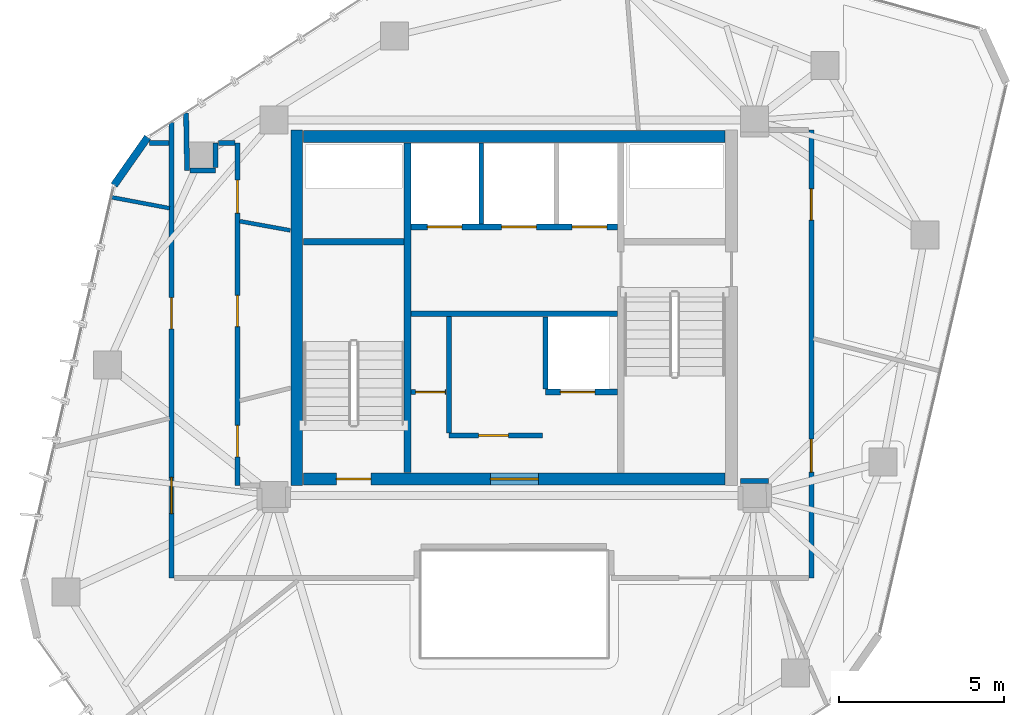
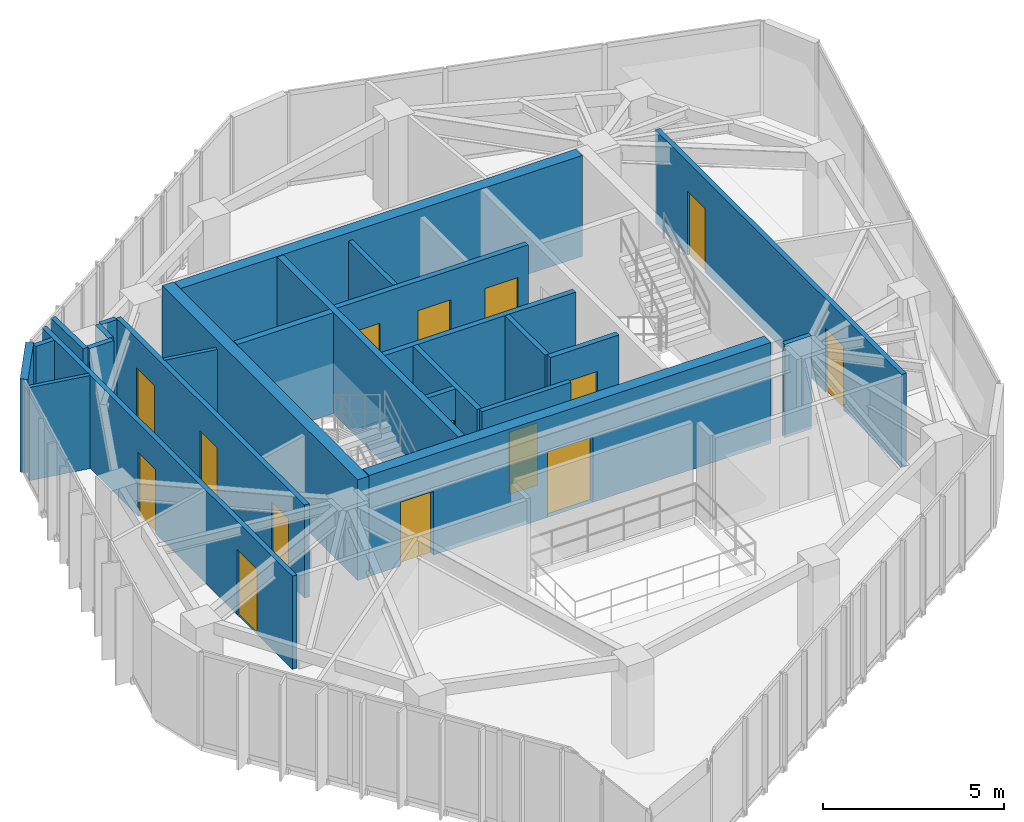
# One storey, part 17 of 20: 25 walls, 15 doors, 15 openings.
"""IFC4 building model written with IfcOpenShell, lengths in metres."""

from ifc_helpers import new_model, si_unit, direction, frame, frame_2d, origin, place, context, subcontext, project, spatial, rectangle, extrude, source, transform, mapped, material, layer, layer_set, type_object, type_shapes, element, fill, save


model = new_model("IFC4")

# Units and contexts
model_context = context("Model", 3, precision=1e-05, world=origin(), true_north=direction((0.0, 1.0)))
body_context = subcontext(model_context, "Body", "Model", "MODEL_VIEW")
ifc_project = project(units=[si_unit("LENGTHUNIT", "METRE"), si_unit("AREAUNIT", "SQUARE_METRE"), si_unit("VOLUMEUNIT", "CUBIC_METRE"), si_unit("PLANEANGLEUNIT", "RADIAN"), si_unit("MASSUNIT", "GRAM", prefix="KILO")], contexts=[model_context])

# Site, building, storey
site_placement = place(None, origin())
site = spatial("IfcSite", under=ifc_project, at=site_placement, CompositionType="ELEMENT")
building_placement = place(site_placement, origin())
building = spatial("IfcBuilding", under=site, at=building_placement, Name="Talar Marvaseh", CompositionType="ELEMENT")
storey_placement = place(building_placement, frame((0.0, 0.0, 247.60009765625)))
storey = spatial("IfcBuildingStorey", under=building, at=storey_placement, Name="L65", CompositionType="ELEMENT", Elevation=247.60009765625)

# Walls
ifc_material_1 = material(Name="Precast concrete C45/55", Category="concrete")
ifc_layer_1 = layer(ifc_material_1, 0.22509765625)
ifc_layer_set_1 = layer_set([ifc_layer_1], Name="Precast concrete C45/55")
wall_type_1 = type_object("IfcWallType", Name="Chamfered Hexagonal Corner Pier Wall Z4 225", PredefinedType="SOLIDWALL", material=ifc_layer_set_1)
wall_1_placement = place(storey_placement, frame((13.851806640625, 34.91943359375, 0.0), z_axis=(0.0, 0.0, 1.0), x_axis=(0.573664769925, 0.819090185356, 0.0)))
element("IfcWall", 1, at=wall_1_placement, inside=storey, type_object=wall_type_1, Name="L65 Chamfered Corner Limestone Pier 3", PredefinedType="SOLIDWALL", context=body_context, shape_type="SweptSolid", body=[
    extrude(rectangle(XDim=1.780517578125, YDim=0.22509765625, at=frame_2d((0.89013671875, 0.0))), origin(), (0.0, 0.0, 1.0), 3.139892578125),
])
ifc_material_2 = material(Name="Gypsum Board Partition Assembly")
ifc_layer_2 = layer(ifc_material_2, 0.155029296875)
ifc_layer_set_2 = layer_set([ifc_layer_2], Name="Gypsum Board Partition Assembly")
wall_type_2 = type_object("IfcWallType", Name="Corridor Fire-Rated Acoustic Partition 155", PredefinedType="PARTITIONING", material=ifc_layer_set_2)
wall_2_placement = place(storey_placement, frame((24.02001953125, 27.39990234375, 0.0), z_axis=(0.0, 0.0, 1.0), x_axis=(0.0, 1.0, 0.0)))
element("IfcWall", 2, at=wall_2_placement, inside=storey, type_object=wall_type_2, Name="L65 Core BOH Partition", PredefinedType="PARTITIONING", context=body_context, shape_type="SweptSolid", body=[
    extrude(rectangle(XDim=3.5400390625, YDim=0.155029296875, at=frame_2d((1.77001953125, 0.0))), origin(), (0.0, 0.0, 1.0), 3.139892578125),
])

# Wall, opening, door
wall_3_placement = place(storey_placement, frame((24.02001953125, 27.320068359375, 0.0), z_axis=(0.0, 0.0, 1.0), x_axis=(1.0, 0.0, 0.0)))
wall_3 = element("IfcWall", 3, at=wall_3_placement, inside=storey, type_object=wall_type_2, Name="L65 Core BOH Partition", PredefinedType="PARTITIONING", context=body_context, shape_type="SweptSolid", body=[
    extrude(rectangle(XDim=2.840087890625, YDim=0.155029296875, at=frame_2d((1.419921875, 0.0))), origin(), (0.0, 0.0, 1.0), 3.139892578125),
])
opening_1_placement = place(wall_3_placement, frame((0.89990234375, 0.0, 0.0)))
opening_1 = element("IfcOpeningElement", 4, at=opening_1_placement, cuts=wall_3, Name="Opening DR-BOH090", PredefinedType="OPENING", context=body_context, shape_type="SweptSolid", body=[
    extrude(rectangle(XDim=0.89990234375, YDim=2.10009765625, at=frame_2d((0.449951171875, 1.050048828125))), frame((0.0, 0.08740234375, 0.0), z_axis=(0.0, -1.0, 0.0), x_axis=(1.0, 0.0, 0.0)), (0.0, 0.0, 1.0), 0.175048828125),
])
ifc_material_3 = material(Name="Fire-Rated Steel Door Leaf", Category="steel")
door_type_1 = type_object("IfcDoorType", Name="Core Back-of-House Service Door 900x2100", OperationType="NOTDEFINED", PredefinedType="DOOR", material=ifc_material_3)
shared_shape_1 = source(origin(), body_context, "Body", "SweptSolid", [
    extrude(rectangle(XDim=0.89990234375, YDim=2.10009765625, at=frame_2d((0.449951171875, 1.050048828125))), frame((0.0, 0.02490234375, 0.0), z_axis=(0.0, -1.0, 0.0), x_axis=(1.0, 0.0, 0.0)), (0.0, 0.0, 1.0), 0.050048828125),
])
type_shapes(door_type_1, [shared_shape_1])
door_1_placement = place(opening_1_placement, origin())
door_1 = element("IfcDoor", 5, at=door_1_placement, inside=storey, type_object=door_type_1, Name="L65 Store Sky Curatorial Vault Door", OperationType="SINGLE_SWING_LEFT", OverallHeight=2.10009765625, OverallWidth=0.89990234375, PredefinedType="DOOR", context=body_context, shape_type="MappedRepresentation", body=[
    mapped(shared_shape_1, transform((0.0, 0.0, 0.0), x_axis=(1.0, 0.0, 0.0), y_axis=(0.0, 1.0, 0.0), z_axis=(0.0, 0.0, 1.0), scale=1.0)),
])
fill(opening_1, door_1)

wall_4_placement = place(storey_placement, frame((22.865966796875, 28.639892578125, 0.0), z_axis=(0.0, 0.0, 1.0), x_axis=(1.0, 0.0, 0.0)))
wall_4 = element("IfcWall", 6, at=wall_4_placement, inside=storey, type_object=wall_type_2, Name="L65 Core BOH Partition", PredefinedType="PARTITIONING", context=body_context, shape_type="SweptSolid", body=[
    extrude(rectangle(XDim=1.070556640625, YDim=0.155029296875, at=frame_2d((0.53515625, 0.0))), origin(), (0.0, 0.0, 1.0), 3.139892578125),
])
opening_2_placement = place(wall_4_placement, frame((0.139892578125, 0.0, 0.0)))
opening_2 = element("IfcOpeningElement", 7, at=opening_2_placement, cuts=wall_4, Name="Opening DR-BOH090", PredefinedType="OPENING", context=body_context, shape_type="SweptSolid", body=[
    extrude(rectangle(XDim=0.89990234375, YDim=2.10009765625, at=frame_2d((0.449951171875, 1.050048828125))), frame((0.0, 0.08740234375, 0.0), z_axis=(0.0, -1.0, 0.0), x_axis=(1.0, 0.0, 0.0)), (0.0, 0.0, 1.0), 0.175048828125),
])
door_2_placement = place(opening_2_placement, origin())
door_2 = element("IfcDoor", 8, at=door_2_placement, inside=storey, type_object=door_type_1, Name="L65 Cleaner Core West Closet Door", OperationType="SINGLE_SWING_RIGHT", OverallHeight=2.10009765625, OverallWidth=0.89990234375, PredefinedType="DOOR", context=body_context, shape_type="MappedRepresentation", body=[
    mapped(shared_shape_1, transform((0.0, 0.0, 0.0), x_axis=(1.0, 0.0, 0.0), y_axis=(0.0, 1.0, 0.0), z_axis=(0.0, 0.0, 1.0), scale=1.0)),
])
fill(opening_2, door_2)

# Wall, openings, doors
wall_5_placement = place(storey_placement, frame((17.60009765625, 36.199951171875, 0.0), z_axis=(0.0, 0.0, 1.0), x_axis=(0.0, -1.0, 0.0)))
wall_5 = element("IfcWall", 9, at=wall_5_placement, inside=storey, type_object=wall_type_2, Name="L65 Interior Partition Wall", PredefinedType="PARTITIONING", context=body_context, shape_type="SweptSolid", body=[
    extrude(rectangle(XDim=10.39990234375, YDim=0.155029296875, at=frame_2d((5.199951171875, 0.0))), origin(), (0.0, 0.0, 1.0), 3.139892578125),
])
opening_3_placement = place(wall_5_placement, frame((8.573486328125, 0.0, 0.0)))
opening_3 = element("IfcOpeningElement", 10, at=opening_3_placement, cuts=wall_5, Name="Opening DR-WC095", PredefinedType="OPENING", context=body_context, shape_type="SweptSolid", body=[
    extrude(rectangle(XDim=0.949951171875, YDim=2.14990234375, at=frame_2d((0.47509765625, 1.074951171875))), frame((0.0, 0.08740234375, 0.0), z_axis=(0.0, -1.0, 0.0), x_axis=(1.0, 0.0, 0.0)), (0.0, 0.0, 1.0), 0.175048828125),
])
opening_4_placement = place(wall_5_placement, frame((1.125, 0.0, 0.0)))
opening_4 = element("IfcOpeningElement", 11, at=opening_4_placement, cuts=wall_5, Name="Opening DR-RM100", PredefinedType="OPENING", context=body_context, shape_type="SweptSolid", body=[
    extrude(rectangle(XDim=1.0, YDim=2.14990234375, at=frame_2d((0.5, 1.074951171875))), frame((0.0, 0.08740234375, 0.0), z_axis=(0.0, -1.0, 0.0), x_axis=(1.0, 0.0, 0.0)), (0.0, 0.0, 1.0), 0.175048828125),
])
opening_5_placement = place(wall_5_placement, frame((4.62451171875, 0.0, 0.0)))
opening_5 = element("IfcOpeningElement", 12, at=opening_5_placement, cuts=wall_5, Name="Opening DR-WC095", PredefinedType="OPENING", context=body_context, shape_type="SweptSolid", body=[
    extrude(rectangle(XDim=0.949951171875, YDim=2.14990234375, at=frame_2d((0.47509765625, 1.074951171875))), frame((0.0, 0.08740234375, 0.0), z_axis=(0.0, -1.0, 0.0), x_axis=(1.0, 0.0, 0.0)), (0.0, 0.0, 1.0), 0.175048828125),
])
ifc_material_4 = material(Name="Acoustic Engineered Oak Timber", Category="wood")
door_type_2 = type_object("IfcDoorType", Name="Washroom and Service Room Door 950x2150", OperationType="NOTDEFINED", PredefinedType="DOOR", material=ifc_material_4)
shared_shape_2 = source(origin(), body_context, "Body", "SweptSolid", [
    extrude(rectangle(XDim=0.949951171875, YDim=2.14990234375, at=frame_2d((0.47509765625, 1.074951171875))), frame((0.0, 0.02490234375, 0.0), z_axis=(0.0, -1.0, 0.0), x_axis=(1.0, 0.0, 0.0)), (0.0, 0.0, 1.0), 0.050048828125),
])
type_shapes(door_type_2, [shared_shape_2])
door_3_placement = place(opening_3_placement, origin())
door_3 = element("IfcDoor", 13, at=door_3_placement, inside=storey, type_object=door_type_2, Name="L65 WC Public Washrooms Door", OperationType="SINGLE_SWING_LEFT", OverallHeight=2.14990234375, OverallWidth=0.949951171875, PredefinedType="DOOR", context=body_context, shape_type="MappedRepresentation", body=[
    mapped(shared_shape_2, transform((0.0, 0.0, 0.0), x_axis=(1.0, 0.0, 0.0), y_axis=(0.0, 1.0, 0.0), z_axis=(0.0, 0.0, 1.0), scale=1.0)),
])
fill(opening_3, door_3)
door_4_placement = place(opening_5_placement, origin())
door_4 = element("IfcDoor", 14, at=door_4_placement, inside=storey, type_object=door_type_2, Name="L65 Accessible WC Door", OperationType="SINGLE_SWING_RIGHT", OverallHeight=2.14990234375, OverallWidth=0.949951171875, PredefinedType="DOOR", context=body_context, shape_type="MappedRepresentation", body=[
    mapped(shared_shape_2, transform((0.0, 0.0, 0.0), x_axis=(1.0, 0.0, 0.0), y_axis=(0.0, 1.0, 0.0), z_axis=(0.0, 0.0, 1.0), scale=1.0)),
])
fill(opening_5, door_4)
door_type_3 = type_object("IfcDoorType", Name="Corridor Fire-Rated Gallery Door 1000x2150", OperationType="NOTDEFINED", PredefinedType="DOOR", material=ifc_material_4)
shared_shape_3 = source(origin(), body_context, "Body", "SweptSolid", [
    extrude(rectangle(XDim=1.0, YDim=2.14990234375, at=frame_2d((0.5, 1.074951171875))), frame((0.0, 0.02490234375, 0.0), z_axis=(0.0, -1.0, 0.0), x_axis=(1.0, 0.0, 0.0)), (0.0, 0.0, 1.0), 0.050048828125),
])
type_shapes(door_type_3, [shared_shape_3])
door_5_placement = place(opening_4_placement, origin())
door_5 = element("IfcDoor", 15, at=door_5_placement, inside=storey, type_object=door_type_3, Name="L65 Scholars' Registration Reception Door", OperationType="SINGLE_SWING_RIGHT", OverallHeight=2.14990234375, OverallWidth=1.0, PredefinedType="DOOR", context=body_context, shape_type="MappedRepresentation", body=[
    mapped(shared_shape_3, transform((0.0, 0.0, 0.0), x_axis=(1.0, 0.0, 0.0), y_axis=(0.0, 1.0, 0.0), z_axis=(0.0, 0.0, 1.0), scale=1.0)),
])
fill(opening_4, door_5)

wall_6_placement = place(storey_placement, frame((35.02001953125, 36.60009765625, 0.0), z_axis=(0.0, 0.0, 1.0), x_axis=(0.0, -1.0, 0.0)))
wall_6 = element("IfcWall", 16, at=wall_6_placement, inside=storey, type_object=wall_type_2, Name="L65 Interior Partition Wall", PredefinedType="PARTITIONING", context=body_context, shape_type="SweptSolid", body=[
    extrude(rectangle(XDim=13.60009765625, YDim=0.155029296875, at=frame_2d((6.800048828125, 0.0))), origin(), (0.0, 0.0, 1.0), 3.139892578125),
])
opening_6_placement = place(wall_6_placement, frame((9.391357421875, 0.0, 0.0)))
opening_6 = element("IfcOpeningElement", 17, at=opening_6_placement, cuts=wall_6, Name="Opening DR-RM100", PredefinedType="OPENING", context=body_context, shape_type="SweptSolid", body=[
    extrude(rectangle(XDim=1.0, YDim=2.14990234375, at=frame_2d((0.5, 1.074951171875))), frame((0.0, 0.08740234375, 0.0), z_axis=(0.0, -1.0, 0.0), x_axis=(1.0, 0.0, 0.0)), (0.0, 0.0, 1.0), 0.175048828125),
])
opening_7_placement = place(wall_6_placement, frame((1.788330078125, 0.0, 0.0)))
opening_7 = element("IfcOpeningElement", 18, at=opening_7_placement, cuts=wall_6, Name="Opening DR-WC095", PredefinedType="OPENING", context=body_context, shape_type="SweptSolid", body=[
    extrude(rectangle(XDim=0.949951171875, YDim=2.14990234375, at=frame_2d((0.47509765625, 1.074951171875))), frame((0.0, 0.08740234375, 0.0), z_axis=(0.0, -1.0, 0.0), x_axis=(1.0, 0.0, 0.0)), (0.0, 0.0, 1.0), 0.175048828125),
])
door_6_placement = place(opening_7_placement, origin())
door_6 = element("IfcDoor", 19, at=door_6_placement, inside=storey, type_object=door_type_2, Name="L65 Scholars' Servery Pantry Door", OperationType="SINGLE_SWING_RIGHT", OverallHeight=2.14990234375, OverallWidth=0.949951171875, PredefinedType="DOOR", context=body_context, shape_type="MappedRepresentation", body=[
    mapped(shared_shape_2, transform((0.0, 0.0, 0.0), x_axis=(1.0, 0.0, 0.0), y_axis=(0.0, 1.0, 0.0), z_axis=(0.0, 0.0, 1.0), scale=1.0)),
])
fill(opening_7, door_6)
door_7_placement = place(opening_6_placement, origin())
door_7 = element("IfcDoor", 20, at=door_7_placement, inside=storey, type_object=door_type_3, Name="L65 Visitor Orientation Foyer Door", OperationType="SINGLE_SWING_LEFT", OverallHeight=2.14990234375, OverallWidth=1.0, PredefinedType="DOOR", context=body_context, shape_type="MappedRepresentation", body=[
    mapped(shared_shape_3, transform((0.0, 0.0, 0.0), x_axis=(1.0, 0.0, 0.0), y_axis=(0.0, 1.0, 0.0), z_axis=(0.0, 0.0, 1.0), scale=1.0)),
])
fill(opening_6, door_7)

wall_7_placement = place(storey_placement, frame((15.60009765625, 23.0, 0.0), z_axis=(0.0, 0.0, 1.0), x_axis=(0.0, 1.0, 0.0)))
wall_7 = element("IfcWall", 21, at=wall_7_placement, inside=storey, type_object=wall_type_2, Name="L65 Interior Partition Wall", PredefinedType="PARTITIONING", context=body_context, shape_type="SweptSolid", body=[
    extrude(rectangle(XDim=13.8291015625, YDim=0.155029296875, at=frame_2d((6.91455078125, 0.0))), origin(), (0.0, 0.0, 1.0), 3.139892578125),
])
opening_8_placement = place(wall_7_placement, frame((1.94970703125, 0.0, 0.0)))
opening_8 = element("IfcOpeningElement", 22, at=opening_8_placement, cuts=wall_7, Name="Opening DR-RM110", PredefinedType="OPENING", context=body_context, shape_type="SweptSolid", body=[
    extrude(rectangle(XDim=1.10009765625, YDim=2.199951171875, at=frame_2d((0.550048828125, 1.10009765625))), frame((0.0, 0.08740234375, 0.0), z_axis=(0.0, -1.0, 0.0), x_axis=(1.0, 0.0, 0.0)), (0.0, 0.0, 1.0), 0.175048828125),
])
opening_9_placement = place(wall_7_placement, frame((7.56103515625, 0.0, 0.0)))
opening_9 = element("IfcOpeningElement", 23, at=opening_9_placement, cuts=wall_7, Name="Opening DR-WC095", PredefinedType="OPENING", context=body_context, shape_type="SweptSolid", body=[
    extrude(rectangle(XDim=0.949951171875, YDim=2.14990234375, at=frame_2d((0.47509765625, 1.074951171875))), frame((0.0, 0.08740234375, 0.0), z_axis=(0.0, -1.0, 0.0), x_axis=(1.0, 0.0, 0.0)), (0.0, 0.0, 1.0), 0.175048828125),
])
door_8_placement = place(opening_9_placement, origin())
door_8 = element("IfcDoor", 24, at=door_8_placement, inside=storey, type_object=door_type_2, Name="L65 Fellows' Coffee Pantry Door", OperationType="SINGLE_SWING_LEFT", OverallHeight=2.14990234375, OverallWidth=0.949951171875, PredefinedType="DOOR", context=body_context, shape_type="MappedRepresentation", body=[
    mapped(shared_shape_2, transform((0.0, 0.0, 0.0), x_axis=(1.0, 0.0, 0.0), y_axis=(0.0, 1.0, 0.0), z_axis=(0.0, 0.0, 1.0), scale=1.0)),
])
fill(opening_9, door_8)
door_type_4 = type_object("IfcDoorType", Name="Assembly and Reading Hall Door 1100x2200", OperationType="NOTDEFINED", PredefinedType="DOOR", material=ifc_material_4)
shared_shape_4 = source(origin(), body_context, "Body", "SweptSolid", [
    extrude(rectangle(XDim=1.10009765625, YDim=2.199951171875, at=frame_2d((0.550048828125, 1.10009765625))), frame((0.0, 0.02490234375, 0.0), z_axis=(0.0, -1.0, 0.0), x_axis=(1.0, 0.0, 0.0)), (0.0, 0.0, 1.0), 0.050048828125),
])
type_shapes(door_type_4, [shared_shape_4])
door_9_placement = place(opening_8_placement, origin())
door_9 = element("IfcDoor", 25, at=door_9_placement, inside=storey, type_object=door_type_4, Name="L65 Gallery Concierge Reception Door", OperationType="SINGLE_SWING_LEFT", OverallHeight=2.199951171875, OverallWidth=1.10009765625, PredefinedType="DOOR", context=body_context, shape_type="MappedRepresentation", body=[
    mapped(shared_shape_4, transform((0.0, 0.0, 0.0), x_axis=(1.0, 0.0, 0.0), y_axis=(0.0, 1.0, 0.0), z_axis=(0.0, 0.0, 1.0), scale=1.0)),
])
fill(opening_8, door_9)

# Walls
wall_8_placement = place(storey_placement, frame((16.03759765625, 37.112060546875, 0.0), z_axis=(0.0, 0.0, 1.0), x_axis=(0.018044067969, -0.999837192552, 0.0)))
element("IfcWall", 26, at=wall_8_placement, inside=storey, type_object=wall_type_2, Name="L65 Interior Partition Wall", PredefinedType="PARTITIONING", context=body_context, shape_type="SweptSolid", body=[
    extrude(rectangle(XDim=1.745361328125, YDim=0.155029296875, at=frame_2d((0.87255859375, 0.0))), origin(), (0.0, 0.0, 1.0), 3.139892578125),
])
wall_9_placement = place(storey_placement, frame((16.152587890625, 35.3671875, 0.0), z_axis=(0.0, 0.0, 1.0), x_axis=(0.999997558852, 0.002209590566, 0.0)))
element("IfcWall", 27, at=wall_9_placement, inside=storey, type_object=wall_type_2, Name="L65 Interior Partition Wall", PredefinedType="PARTITIONING", context=body_context, shape_type="SweptSolid", body=[
    extrude(rectangle(XDim=0.7734375, YDim=0.155029296875, at=frame_2d((0.38671875, 0.0))), origin(), (0.0, 0.0, 1.0), 3.139892578125),
])
wall_10_placement = place(storey_placement, frame((16.927001953125, 35.452392578125, 0.0), z_axis=(0.0, 0.0, 1.0), x_axis=(0.009470509294, 0.999955153721, 0.0)))
element("IfcWall", 28, at=wall_10_placement, inside=storey, type_object=wall_type_2, Name="L65 Interior Partition Wall", PredefinedType="PARTITIONING", context=body_context, shape_type="SweptSolid", body=[
    extrude(rectangle(XDim=0.74755859375, YDim=0.155029296875, at=frame_2d((0.373779296875, 0.0))), origin(), (0.0, 0.0, 1.0), 3.139892578125),
])
wall_11_placement = place(storey_placement, frame((17.017578125, 36.199951171875, 0.0), z_axis=(0.0, 0.0, 1.0), x_axis=(1.0, 0.0, 0.0)))
element("IfcWall", 29, at=wall_11_placement, inside=storey, type_object=wall_type_2, Name="L65 Interior Partition Wall", PredefinedType="PARTITIONING", context=body_context, shape_type="SweptSolid", body=[
    extrude(rectangle(XDim=0.4990234375, YDim=0.155029296875, at=frame_2d((0.24951171875, 0.0))), origin(), (0.0, 0.0, 1.0), 3.139892578125),
])
wall_12_placement = place(storey_placement, frame((14.9208984375, 36.199951171875, 0.0), z_axis=(0.0, 0.0, 1.0), x_axis=(1.0, 0.0, 0.0)))
element("IfcWall", 30, at=wall_12_placement, inside=storey, type_object=wall_type_2, Name="L65 Interior Partition Wall", PredefinedType="PARTITIONING", context=body_context, shape_type="SweptSolid", body=[
    extrude(rectangle(XDim=0.595703125, YDim=0.155029296875, at=frame_2d((0.2978515625, 0.0))), origin(), (0.0, 0.0, 1.0), 3.139892578125),
])
wall_13_placement = place(storey_placement, frame((33.72509765625, 25.93994140625, 0.0), z_axis=(0.0, 0.0, 1.0), x_axis=(-0.999986790873, -0.005139852152, 0.0)))
element("IfcWall", 31, at=wall_13_placement, inside=storey, type_object=wall_type_2, Name="L65 Interior Partition Wall", PredefinedType="PARTITIONING", context=body_context, shape_type="SweptSolid", body=[
    extrude(rectangle(XDim=0.85498046875, YDim=0.155029296875, at=frame_2d((0.427490234375, 0.0))), origin(), (0.0, 0.0, 1.0), 3.139892578125),
])
ifc_layer_3 = layer(ifc_material_2, 0.1201171875)
ifc_layer_set_3 = layer_set([ifc_layer_3], Name="Gypsum Board Partition Assembly")
wall_type_3 = type_object("IfcWallType", Name="Demountable Studio Room Partition 120", PredefinedType="PARTITIONING", material=ifc_layer_set_3)
wall_14_placement = place(storey_placement, frame((19.199951171875, 33.550048828125, 0.0), z_axis=(0.0, 0.0, 1.0), x_axis=(-0.983974847736, 0.178307316233, 0.0)))
element("IfcWall", 32, at=wall_14_placement, inside=storey, type_object=wall_type_3, Name="L65 Interior Partition Wall", PredefinedType="PARTITIONING", context=body_context, shape_type="SweptSolid", body=[
    extrude(rectangle(XDim=1.560791015625, YDim=0.1201171875, at=frame_2d((0.7802734375, 0.0))), origin(), (0.0, 0.0, 1.0), 3.139892578125),
])
wall_15_placement = place(storey_placement, frame((15.5361328125, 34.22216796875, 0.0), z_axis=(0.0, 0.0, 1.0), x_axis=(-0.982595990545, 0.185755536567, 0.0)))
element("IfcWall", 33, at=wall_15_placement, inside=storey, type_object=wall_type_3, Name="L65 Interior Partition Wall", PredefinedType="PARTITIONING", context=body_context, shape_type="SweptSolid", body=[
    extrude(rectangle(XDim=1.7783203125, YDim=0.1201171875, at=frame_2d((0.88916015625, 0.0))), origin(), (0.0, 0.0, 1.0), 3.139892578125),
])
ifc_layer_4 = layer(ifc_material_1, 0.14501953125)
ifc_layer_set_4 = layer_set([ifc_layer_4], Name="Precast concrete C45/55")
wall_type_4 = type_object("IfcWallType", Name="Fire-Rated Lift Divider Wall 145", PredefinedType="SOLIDWALL", material=ifc_layer_set_4)
wall_16_placement = place(storey_placement, frame((25.0, 33.743408203125, 0.0), z_axis=(0.0, 0.0, 1.0), x_axis=(0.0, 1.0, 0.0)))
element("IfcWall", 34, at=wall_16_placement, inside=storey, type_object=wall_type_4, Name="L65 FFL-1/FFL-2 Divider", PredefinedType="SOLIDWALL", context=body_context, shape_type="SweptSolid", body=[
    extrude(rectangle(XDim=2.45654296875, YDim=0.14501953125, at=frame_2d((1.228271484375, 0.0))), origin(), (0.0, 0.0, 1.0), 3.139892578125),
])
wall_17_placement = place(storey_placement, frame((26.949951171875, 28.7333984375, 0.0), z_axis=(0.0, 0.0, 1.0), x_axis=(0.0, 1.0, 0.0)))
element("IfcWall", 35, at=wall_17_placement, inside=storey, type_object=wall_type_4, Name="L65 PL-H3 West Shaft Wall", PredefinedType="SOLIDWALL", context=body_context, shape_type="SweptSolid", body=[
    extrude(rectangle(XDim=2.193115234375, YDim=0.14501953125, at=frame_2d((1.0966796875, 0.0))), origin(), (0.0, 0.0, 1.0), 3.139892578125),
])

# Wall, openings, doors
ifc_layer_5 = layer(ifc_material_1, 0.175048828125)
ifc_layer_set_5 = layer_set([ifc_layer_5], Name="Precast concrete C45/55")
wall_type_5 = type_object("IfcWallType", Name="Fire-Rated Lift Hoistway Enclosure Wall 175", PredefinedType="SOLIDWALL", material=ifc_layer_set_5)
wall_18_placement = place(storey_placement, frame((22.860107421875, 33.64990234375, 0.0), z_axis=(0.0, 0.0, 1.0), x_axis=(1.0, 0.0, 0.0)))
wall_18 = element("IfcWall", 36, at=wall_18_placement, inside=storey, type_object=wall_type_5, Name="L65 Firefighting and Service Lift Front Wall", PredefinedType="SOLIDWALL", context=body_context, shape_type="SweptSolid", body=[
    extrude(rectangle(XDim=6.27978515625, YDim=0.175048828125, at=frame_2d((3.139892578125, 0.0))), origin(), (0.0, 0.0, 1.0), 3.139892578125),
])
opening_10_placement = place(wall_18_placement, frame((0.5, 0.0, 0.0)))
opening_10 = element("IfcOpeningElement", 37, at=opening_10_placement, cuts=wall_18, Name="Opening LD-FF1", PredefinedType="OPENING", context=body_context, shape_type="SweptSolid", body=[
    extrude(rectangle(XDim=1.050048828125, YDim=2.14990234375, at=frame_2d((0.52490234375, 1.074951171875))), frame((0.0, 0.09765625, 0.0), z_axis=(0.0, -1.0, 0.0), x_axis=(1.0, 0.0, 0.0)), (0.0, 0.0, 1.0), 0.195068359375),
])
opening_11_placement = place(wall_18_placement, frame((2.760009765625, 0.0, 0.0)))
opening_11 = element("IfcOpeningElement", 38, at=opening_11_placement, cuts=wall_18, Name="Opening LD-FF2", PredefinedType="OPENING", context=body_context, shape_type="SweptSolid", body=[
    extrude(rectangle(XDim=1.050048828125, YDim=2.14990234375, at=frame_2d((0.52490234375, 1.074951171875))), frame((0.0, 0.09765625, 0.0), z_axis=(0.0, -1.0, 0.0), x_axis=(1.0, 0.0, 0.0)), (0.0, 0.0, 1.0), 0.195068359375),
])
opening_12_placement = place(wall_18_placement, frame((4.89990234375, 0.0, 0.0)))
opening_12 = element("IfcOpeningElement", 39, at=opening_12_placement, cuts=wall_18, Name="Opening LD-SV1", PredefinedType="OPENING", context=body_context, shape_type="SweptSolid", body=[
    extrude(rectangle(XDim=1.050048828125, YDim=2.14990234375, at=frame_2d((0.52490234375, 1.074951171875))), frame((0.0, 0.09765625, 0.0), z_axis=(0.0, -1.0, 0.0), x_axis=(1.0, 0.0, 0.0)), (0.0, 0.0, 1.0), 0.195068359375),
])
ifc_material_5 = material(Name="Stainless Steel Grade 316", Category="steel")
door_type_5 = type_object("IfcDoorType", Name="Automatic Sliding Lift Landing Door 1050x2150", OperationType="NOTDEFINED", PredefinedType="DOOR", material=ifc_material_5)
shared_shape_5 = source(origin(), body_context, "Body", "SweptSolid", [
    extrude(rectangle(XDim=1.050048828125, YDim=2.14990234375, at=frame_2d((0.52490234375, 1.074951171875))), frame((0.0, 0.02490234375, 0.0), z_axis=(0.0, -1.0, 0.0), x_axis=(1.0, 0.0, 0.0)), (0.0, 0.0, 1.0), 0.050048828125),
])
type_shapes(door_type_5, [shared_shape_5])
door_10_placement = place(opening_10_placement, origin())
door_10 = element("IfcDoor", 40, at=door_10_placement, inside=storey, type_object=door_type_5, Name="L65 Lift FFL-1 Sliding Landing Door", OperationType="SLIDING_TO_LEFT", OverallHeight=2.14990234375, OverallWidth=1.050048828125, PredefinedType="DOOR", context=body_context, shape_type="MappedRepresentation", body=[
    mapped(shared_shape_5, transform((0.0, 0.0, 0.0), x_axis=(1.0, 0.0, 0.0), y_axis=(0.0, 1.0, 0.0), z_axis=(0.0, 0.0, 1.0), scale=1.0)),
])
fill(opening_10, door_10)
door_11_placement = place(opening_11_placement, origin())
door_11 = element("IfcDoor", 41, at=door_11_placement, inside=storey, type_object=door_type_5, Name="L65 Lift FFL-2 Sliding Landing Door", OperationType="SLIDING_TO_LEFT", OverallHeight=2.14990234375, OverallWidth=1.050048828125, PredefinedType="DOOR", context=body_context, shape_type="MappedRepresentation", body=[
    mapped(shared_shape_5, transform((0.0, 0.0, 0.0), x_axis=(1.0, 0.0, 0.0), y_axis=(0.0, 1.0, 0.0), z_axis=(0.0, 0.0, 1.0), scale=1.0)),
])
fill(opening_11, door_11)
door_12_placement = place(opening_12_placement, origin())
door_12 = element("IfcDoor", 42, at=door_12_placement, inside=storey, type_object=door_type_5, Name="L65 Lift SVL-1 Sliding Landing Door", OperationType="SLIDING_TO_LEFT", OverallHeight=2.14990234375, OverallWidth=1.050048828125, PredefinedType="DOOR", context=body_context, shape_type="MappedRepresentation", body=[
    mapped(shared_shape_5, transform((0.0, 0.0, 0.0), x_axis=(1.0, 0.0, 0.0), y_axis=(0.0, 1.0, 0.0), z_axis=(0.0, 0.0, 1.0), scale=1.0)),
])
fill(opening_12, door_12)

# Wall
wall_19_placement = place(storey_placement, frame((22.860107421875, 31.02001953125, 0.0), z_axis=(0.0, 0.0, 1.0), x_axis=(1.0, 0.0, 0.0)))
element("IfcWall", 43, at=wall_19_placement, inside=storey, type_object=wall_type_5, Name="L65 Firefighting Lobby South Smoke Wall", PredefinedType="SOLIDWALL", context=body_context, shape_type="SweptSolid", body=[
    extrude(rectangle(XDim=6.27978515625, YDim=0.175048828125, at=frame_2d((3.139892578125, 0.0))), origin(), (0.0, 0.0, 1.0), 3.139892578125),
])

# Wall, opening, door
wall_20_placement = place(storey_placement, frame((26.949951171875, 28.639892578125, 0.0), z_axis=(0.0, 0.0, 1.0), x_axis=(1.0, 0.0, 0.0)))
wall_20 = element("IfcWall", 44, at=wall_20_placement, inside=storey, type_object=wall_type_5, Name="L65 Sky Express Lift Front Wall", PredefinedType="SOLIDWALL", context=body_context, shape_type="SweptSolid", body=[
    extrude(rectangle(XDim=2.18994140625, YDim=0.175048828125, at=frame_2d((1.094970703125, 0.0))), origin(), (0.0, 0.0, 1.0), 3.139892578125),
])
opening_13_placement = place(wall_20_placement, frame((0.449951171875, 0.0, 0.0)))
opening_13 = element("IfcOpeningElement", 45, at=opening_13_placement, cuts=wall_20, Name="Opening LD-PLH3", PredefinedType="OPENING", context=body_context, shape_type="SweptSolid", body=[
    extrude(rectangle(XDim=1.050048828125, YDim=2.14990234375, at=frame_2d((0.52490234375, 1.074951171875))), frame((0.0, 0.09765625, 0.0), z_axis=(0.0, -1.0, 0.0), x_axis=(1.0, 0.0, 0.0)), (0.0, 0.0, 1.0), 0.195068359375),
])
door_13_placement = place(opening_13_placement, origin())
door_13 = element("IfcDoor", 46, at=door_13_placement, inside=storey, type_object=door_type_5, Name="L65 Lift PL-H3 Sliding Landing Door", OperationType="SLIDING_TO_LEFT", OverallHeight=2.14990234375, OverallWidth=1.050048828125, PredefinedType="DOOR", context=body_context, shape_type="MappedRepresentation", body=[
    mapped(shared_shape_5, transform((0.0, 0.0, 0.0), x_axis=(1.0, 0.0, 0.0), y_axis=(0.0, 1.0, 0.0), z_axis=(0.0, 0.0, 1.0), scale=1.0)),
])
fill(opening_13, door_13)

# Walls
ifc_material_6 = material(Name="Concrete C50/60", Category="concrete")
ifc_layer_6 = layer(ifc_material_6, 0.199951171875)
ifc_layer_set_6 = layer_set([ifc_layer_6], Name="Concrete C50/60")
wall_type_6 = type_object("IfcWallType", Name="Stair Shaft Structural Concrete Shear Wall 200", PredefinedType="SHEAR", material=ifc_layer_set_6)
wall_21_placement = place(storey_placement, frame((22.760009765625, 26.199951171875, 0.0), z_axis=(0.0, 0.0, 1.0), x_axis=(0.0, 1.0, 0.0)))
element("IfcWall", 47, at=wall_21_placement, inside=storey, type_object=wall_type_6, Name="L65 Core West Stair Shear Wall", PredefinedType="SHEAR", context=body_context, shape_type="SweptSolid", body=[
    extrude(rectangle(XDim=10.0, YDim=0.199951171875, at=frame_2d((5.0, 0.0))), origin(), (0.0, 0.0, 1.0), 3.39990234375),
])
wall_22_placement = place(storey_placement, frame((19.60009765625, 33.199951171875, 0.0), z_axis=(0.0, 0.0, 1.0), x_axis=(1.0, 0.0, 0.0)))
element("IfcWall", 48, at=wall_22_placement, inside=storey, type_object=wall_type_6, Name="L65 Stair ST-1 North Shear Wall", PredefinedType="SHEAR", context=body_context, shape_type="SweptSolid", body=[
    extrude(rectangle(XDim=3.059814453125, YDim=0.199951171875, at=frame_2d((1.52978515625, 0.0))), origin(), (0.0, 0.0, 1.0), 3.39990234375),
])
ifc_layer_7 = layer(ifc_material_6, 0.360107421875)
ifc_layer_set_7 = layer_set([ifc_layer_7], Name="Concrete C50/60")
wall_type_7 = type_object("IfcWallType", Name="Upper Core Reinforced Concrete Shear Wall 360", PredefinedType="SHEAR", material=ifc_layer_set_7)
wall_23_placement = place(storey_placement, frame((19.39990234375, 25.800048828125, 0.0), z_axis=(0.0, 0.0, 1.0), x_axis=(0.0, 1.0, 0.0)))
element("IfcWall", 49, at=wall_23_placement, inside=storey, type_object=wall_type_7, Name="L65 West Core Shear Wall", PredefinedType="SHEAR", context=body_context, shape_type="SweptSolid", body=[
    extrude(rectangle(XDim=10.800048828125, YDim=0.360107421875, at=frame_2d((5.39990234375, 0.0))), origin(), (0.0, 0.0, 1.0), 3.39990234375),
])
wall_24_placement = place(storey_placement, frame((19.60009765625, 36.39990234375, 0.0), z_axis=(0.0, 0.0, 1.0), x_axis=(1.0, 0.0, 0.0)))
element("IfcWall", 50, at=wall_24_placement, inside=storey, type_object=wall_type_7, Name="L65 North Core Shear Wall", PredefinedType="SHEAR", context=body_context, shape_type="SweptSolid", body=[
    extrude(rectangle(XDim=12.7998046875, YDim=0.360107421875, at=frame_2d((6.39990234375, 0.0))), origin(), (0.0, 0.0, 1.0), 3.39990234375),
])

# Wall, openings, doors
wall_25_placement = place(storey_placement, frame((32.39990234375, 26.0, 0.0), z_axis=(0.0, 0.0, 1.0), x_axis=(-1.0, 0.0, 0.0)))
wall_25 = element("IfcWall", 51, at=wall_25_placement, inside=storey, type_object=wall_type_7, Name="L65 South Core Shear Wall", PredefinedType="SHEAR", context=body_context, shape_type="SweptSolid", body=[
    extrude(rectangle(XDim=12.7998046875, YDim=0.360107421875, at=frame_2d((6.39990234375, 0.0))), origin(), (0.0, 0.0, 1.0), 3.39990234375),
])
opening_14_placement = place(wall_25_placement, frame((10.75, 0.0, 0.0)))
opening_14 = element("IfcOpeningElement", 52, at=opening_14_placement, cuts=wall_25, Name="Opening DR-ST105", PredefinedType="OPENING", context=body_context, shape_type="SweptSolid", body=[
    extrude(rectangle(XDim=1.050048828125, YDim=2.14990234375, at=frame_2d((0.52490234375, 1.074951171875))), frame((0.0, 0.18994140625, 0.0), z_axis=(0.0, -1.0, 0.0), x_axis=(1.0, 0.0, 0.0)), (0.0, 0.0, 1.0), 0.380126953125),
])
opening_15_placement = place(wall_25_placement, frame((5.669921875, 0.0, 0.0)))
opening_15 = element("IfcOpeningElement", 53, at=opening_15_placement, cuts=wall_25, Name="Opening DR-LBY145", PredefinedType="OPENING", context=body_context, shape_type="SweptSolid", body=[
    extrude(rectangle(XDim=1.449951171875, YDim=2.199951171875, at=frame_2d((0.72509765625, 1.10009765625))), frame((0.0, 0.18994140625, 0.0), z_axis=(0.0, -1.0, 0.0), x_axis=(1.0, 0.0, 0.0)), (0.0, 0.0, 1.0), 0.380126953125),
])
door_type_6 = type_object("IfcDoorType", Name="Protected Exit Stair Fire Door 1050x2150", OperationType="NOTDEFINED", PredefinedType="DOOR", material=ifc_material_3)
shared_shape_6 = source(origin(), body_context, "Body", "SweptSolid", [
    extrude(rectangle(XDim=1.050048828125, YDim=2.14990234375, at=frame_2d((0.52490234375, 1.074951171875))), frame((0.0, 0.02490234375, 0.0), z_axis=(0.0, -1.0, 0.0), x_axis=(1.0, 0.0, 0.0)), (0.0, 0.0, 1.0), 0.050048828125),
])
type_shapes(door_type_6, [shared_shape_6])
door_14_placement = place(opening_14_placement, origin())
door_14 = element("IfcDoor", 54, at=door_14_placement, inside=storey, type_object=door_type_6, Name="L65 Stair ST-1 Exit Door", OperationType="SINGLE_SWING_RIGHT", OverallHeight=2.14990234375, OverallWidth=1.050048828125, PredefinedType="DOOR", context=body_context, shape_type="MappedRepresentation", body=[
    mapped(shared_shape_6, transform((0.0, 0.0, 0.0), x_axis=(1.0, 0.0, 0.0), y_axis=(0.0, 1.0, 0.0), z_axis=(0.0, 0.0, 1.0), scale=1.0)),
])
fill(opening_14, door_14)
door_type_7 = type_object("IfcDoorType", Name="Core Lift Lobby Double Smoke Door 1450x2200", OperationType="NOTDEFINED", PredefinedType="DOOR", material=ifc_material_3)
shared_shape_7 = source(origin(), body_context, "Body", "SweptSolid", [
    extrude(rectangle(XDim=1.449951171875, YDim=2.199951171875, at=frame_2d((0.72509765625, 1.10009765625))), frame((0.0, 0.02490234375, 0.0), z_axis=(0.0, -1.0, 0.0), x_axis=(1.0, 0.0, 0.0)), (0.0, 0.0, 1.0), 0.050048828125),
])
type_shapes(door_type_7, [shared_shape_7])
door_15_placement = place(opening_15_placement, origin())
door_15 = element("IfcDoor", 55, at=door_15_placement, inside=storey, type_object=door_type_7, Name="L65 Passenger Lift Lobby Entrance Door", OperationType="DOUBLE_DOOR_SINGLE_SWING", OverallHeight=2.199951171875, OverallWidth=1.449951171875, PredefinedType="DOOR", context=body_context, shape_type="MappedRepresentation", body=[
    mapped(shared_shape_7, transform((0.0, 0.0, 0.0), x_axis=(1.0, 0.0, 0.0), y_axis=(0.0, 1.0, 0.0), z_axis=(0.0, 0.0, 1.0), scale=1.0)),
])
fill(opening_15, door_15)

save(model, "model.ifc")
